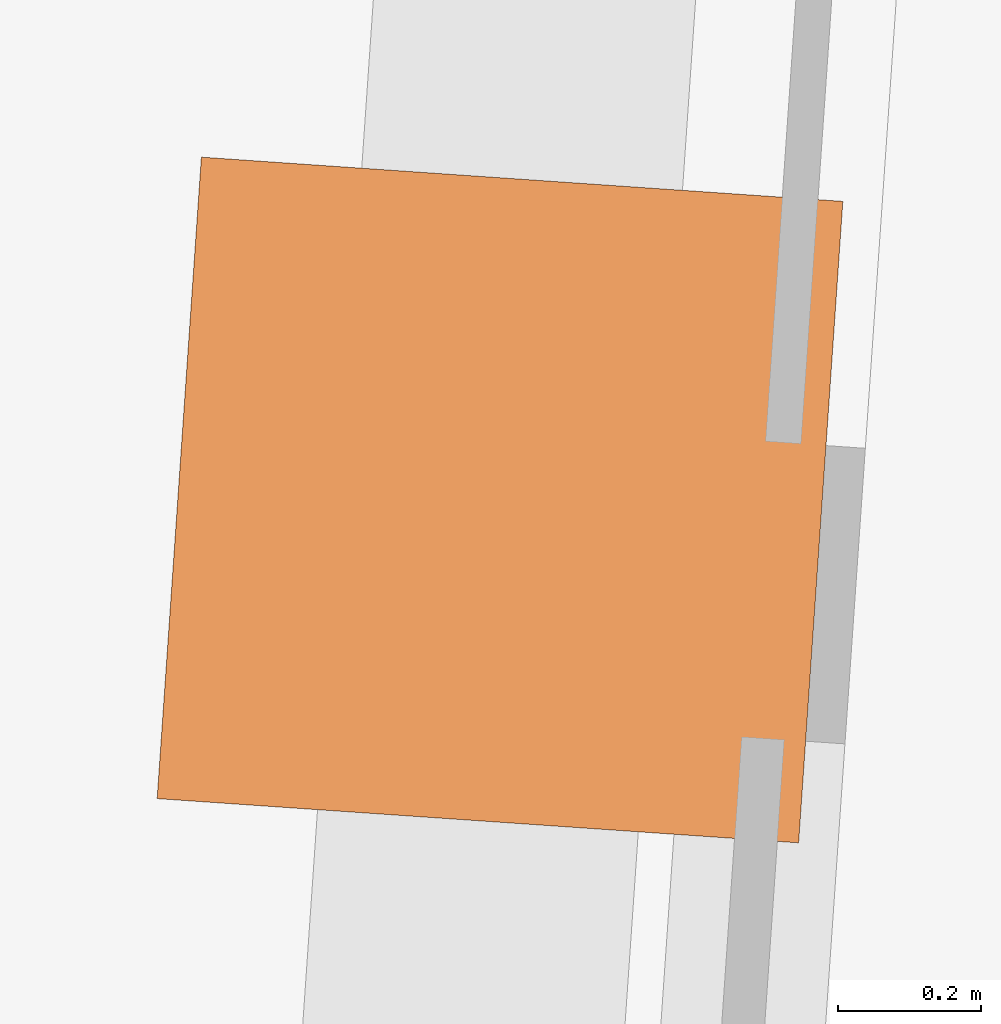
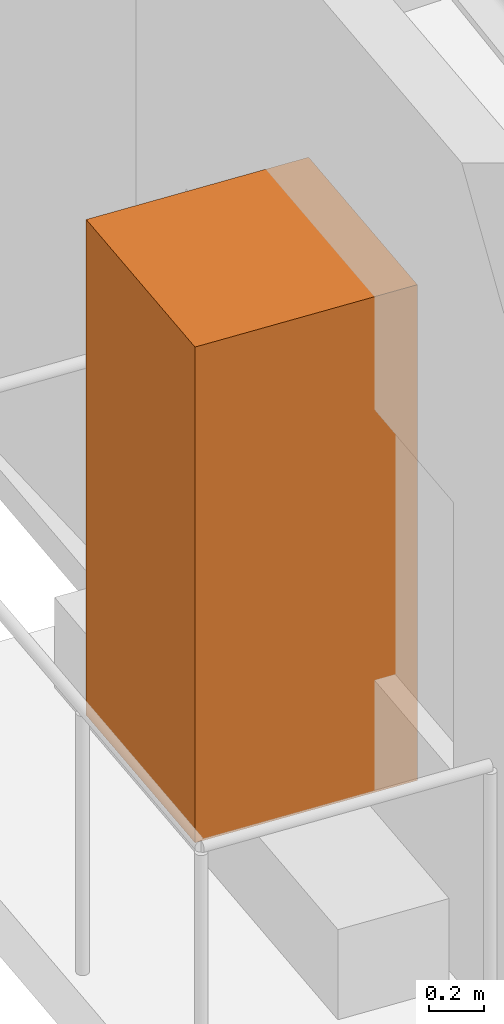
# One storey, part 10 of 10: 1 geographic element.
"""IFC4 building model written with IfcOpenShell, lengths in metres."""

from ifc_helpers import new_model, si_unit, direction, frame, origin, origin_2d, place, context, subcontext, project, spatial, rectangle, extrude, material, type_object, element, save


model = new_model("IFC4")

# Units and contexts
model_context = context("Model", 3, precision=1e-05, world=origin(), true_north=direction((0.0, 1.0)))
body_context = subcontext(model_context, "Body", "Model", "MODEL_VIEW")
ifc_project = project(units=[si_unit("LENGTHUNIT", "METRE"), si_unit("AREAUNIT", "SQUARE_METRE"), si_unit("VOLUMEUNIT", "CUBIC_METRE"), si_unit("PLANEANGLEUNIT", "RADIAN"), si_unit("MASSUNIT", "GRAM", prefix="KILO")], contexts=[model_context])

# Site, building, storey
site_placement = place(None, origin())
site = spatial("IfcSite", under=ifc_project, at=site_placement, CompositionType="ELEMENT")
building_placement = place(site_placement, origin())
building = spatial("IfcBuilding", under=site, at=building_placement, Name="Verdant Reach Tower", CompositionType="ELEMENT")
storey_placement = place(building_placement, frame((0.0, 0.0, 326.0)))
storey = spatial("IfcBuildingStorey", under=building, at=storey_placement, Name="L75", CompositionType="ELEMENT", Elevation=326.0)

# Geographic element
ifc_material = material(Name="Planting")
geographic_element_type = type_object("IfcGeographicElementType", Name="EN-TREE", PredefinedType="USERDEFINED", material=ifc_material)
geographic_element_placement = place(storey_placement, frame((-21.432373046875, 24.195556640625, 0.39990234375), z_axis=(0.0, 0.0, 1.0), x_axis=(-0.068802091615, -0.997630328423, 0.0)))
element("IfcGeographicElement", 1, at=geographic_element_placement, inside=storey, type_object=geographic_element_type, Name="Balcony tree, Surinam cherry (Eugenia uniflora), L75 1", ObjectType="TREE", PredefinedType="USERDEFINED", context=body_context, shape_type="SweptSolid", body=[
    extrude(rectangle(XDim=0.89990234375, YDim=0.89990234375, at=origin_2d()), origin(), (0.0, 0.0, 1.0), 2.199951171875),
])

save(model, "model.ifc")
